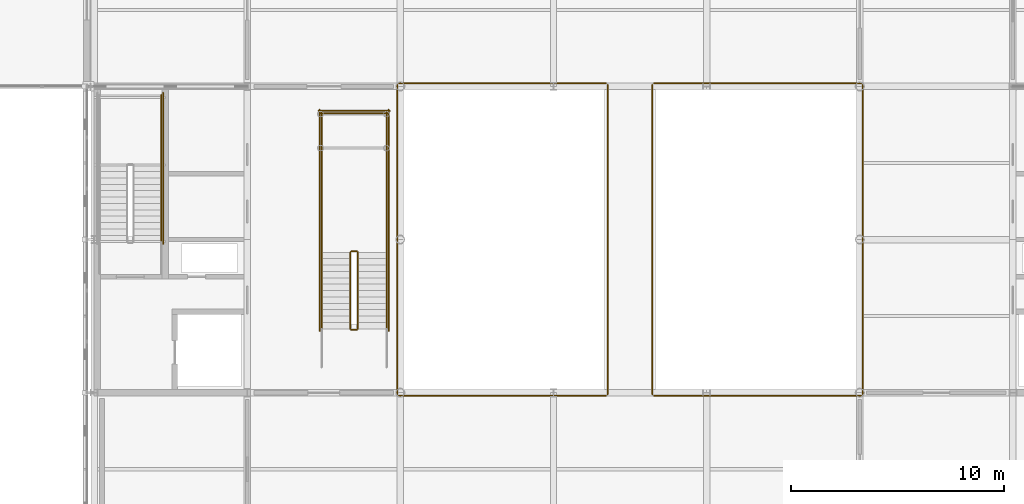
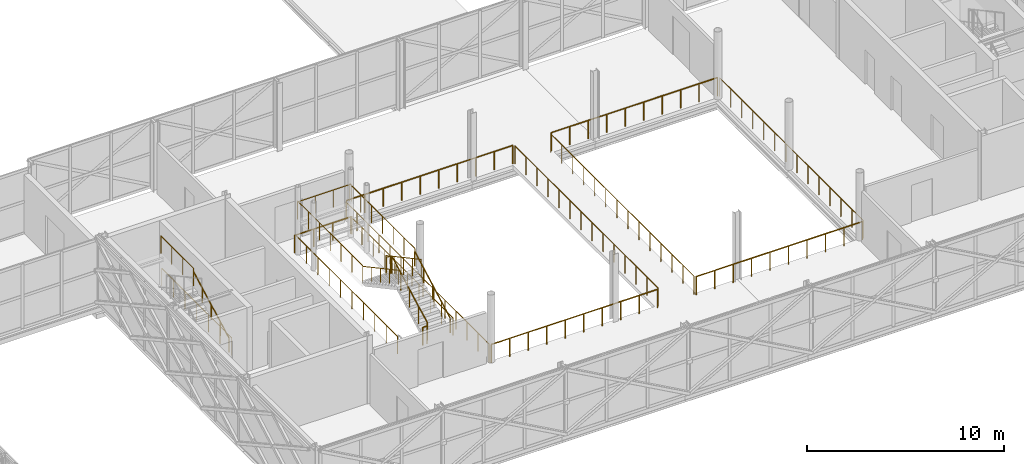
# One storey, part 119 of 126: 23 railings.
"""IFC4 building model written with IfcOpenShell, lengths in metres."""

import ifcopenshell
import ifcopenshell.guid

model = None  # the IFC model being written
_history = None  # IfcOwnerHistory: only IFC2X3 demands one
_inside = {}  # id of a spatial element -> (the spatial element, [elements in it])
_under = {}  # id of a project, library or spatial element -> (it, [spatial elements below it])
_declared = {}  # id of a project -> (the project, [libraries it declares])
_typed = {}  # id of a type object -> (the type object, [elements of that type])
_made_of = {}  # id of a material, layer set ... -> (it, [elements and type objects made of it])


def new_model(schema):
    """Start an empty IFC model of exactly this schema.

    Asked for "IFC4X3", IfcOpenShell would pick the latest addendum, in which some entities
    have other attributes; the version numbers below select the first issue.
    IFC2X3 requires an IfcOwnerHistory on every rooted entity: one is made here for all.
    """
    global model, _history
    if schema == "IFC4X3":
        model = ifcopenshell.file(schema_version=(4, 3, 0, 0))
    else:
        model = ifcopenshell.file(schema=schema)
    _inside.clear()
    _under.clear()
    _declared.clear()
    _typed.clear()
    _made_of.clear()
    _history = None
    if model.schema == "IFC2X3":
        org = make("IfcOrganization", Name="unknown")
        user = make(
            "IfcPersonAndOrganization",
            ThePerson=make("IfcPerson", FamilyName="unknown"),
            TheOrganization=org,
        )
        app = make(
            "IfcApplication",
            ApplicationDeveloper=org,
            Version="unknown",
            ApplicationFullName="unknown",
            ApplicationIdentifier="unknown",
        )
        _history = make(
            "IfcOwnerHistory",
            OwningUser=user,
            OwningApplication=app,
            ChangeAction="ADDED",
            CreationDate=0,
        )
    return model


def make(cls, **values):
    """One entity of the class cls with the attributes given. An attribute that is None is left unset."""
    return model.create_entity(
        cls, **{name: value for name, value in values.items() if value is not None}
    )


def rooted(cls, **values):
    """An entity with a GlobalId (a new one), such as an element, a storey or a relation."""
    return make(cls, GlobalId=ifcopenshell.guid.new(), OwnerHistory=_history, **values)


def si_unit(unit_type, name, prefix=None):
    """IfcSIUnit, for example si_unit("LENGTHUNIT", "METRE", prefix="MILLI")."""
    return make("IfcSIUnit", UnitType=unit_type, Prefix=prefix, Name=name)


def assignment(units):
    """IfcUnitAssignment: the units of a project."""
    return None if units is None else make("IfcUnitAssignment", Units=units)


def point(xyz):
    """IfcCartesianPoint."""
    return None if xyz is None else make("IfcCartesianPoint", Coordinates=xyz)


def direction(xyz):
    """IfcDirection."""
    return None if xyz is None else make("IfcDirection", DirectionRatios=xyz)


def frame(location, z_axis=None, x_axis=None):
    """IfcAxis2Placement3D, a coordinate frame: its origin and axes. An axis left out is left unset."""
    return make(
        "IfcAxis2Placement3D",
        Location=point(location),
        Axis=direction(z_axis),
        RefDirection=direction(x_axis),
    )


def frame_2d(location, x_axis=None):
    """IfcAxis2Placement2D, a coordinate frame in the plane: its origin and x axis."""
    return make(
        "IfcAxis2Placement2D", Location=point(location), RefDirection=direction(x_axis)
    )


def origin():
    """The frame at (0, 0, 0) with its axes left unset."""
    return frame((0.0, 0.0, 0.0))


def origin_2d():
    """The frame at (0, 0) in the plane with its x axis left unset."""
    return frame_2d((0.0, 0.0))


def place(relative_to, where):
    """IfcLocalPlacement: puts the frame where relative to a parent placement (None: the world)."""
    return make(
        "IfcLocalPlacement", PlacementRelTo=relative_to, RelativePlacement=where
    )


def context(
    kind, dimensions, precision=None, world=None, true_north=None, identifier=None
):
    """IfcGeometricRepresentationContext, for example the 3D "Model" context."""
    return make(
        "IfcGeometricRepresentationContext",
        ContextIdentifier=identifier,
        ContextType=kind,
        CoordinateSpaceDimension=dimensions,
        Precision=precision,
        WorldCoordinateSystem=world,
        TrueNorth=true_north,
    )


def subcontext(parent, identifier, kind, view, scale=None):
    """IfcGeometricRepresentationSubContext, for example "Body" below "Model"."""
    return make(
        "IfcGeometricRepresentationSubContext",
        ContextIdentifier=identifier,
        ContextType=kind,
        ParentContext=parent,
        TargetScale=scale,
        TargetView=view,
    )


def project(units=None, contexts=None):
    """IfcProject with its units and contexts."""
    return rooted(
        "IfcProject",
        Name="project",
        RepresentationContexts=contexts,
        UnitsInContext=assignment(units),
    )


def spatial(cls, under=None, at=None, **own):
    """A site, building, storey or space (cls), placed at a placement, below another one or the project."""
    s = rooted(cls, ObjectPlacement=at, **own)
    if under is not None:
        _under.setdefault(under.id(), (under, []))[1].append(s)
    return s


def profile(cls, at=None, kind="AREA", **sizes):
    """A parametric profile (cls). Its sizes go by their IFC names, for example OverallWidth=200.0."""
    return make(cls, ProfileType=kind, Position=at, **sizes)


def circle(**sizes):
    """IfcCircleProfileDef."""
    return profile("IfcCircleProfileDef", **sizes)


def extrude(swept, where, along, depth):
    """IfcExtrudedAreaSolid: the profile swept, set in the frame where, extruded along a direction by depth."""
    return make(
        "IfcExtrudedAreaSolid",
        SweptArea=swept,
        Position=where,
        ExtrudedDirection=direction(along),
        Depth=depth,
    )


def shape(context_of_items, identifier, shape_type, items):
    """IfcShapeRepresentation: the items that make up one representation, for example the "Body"."""
    return make(
        "IfcShapeRepresentation",
        ContextOfItems=context_of_items,
        RepresentationIdentifier=identifier,
        RepresentationType=shape_type,
        Items=items,
    )


def material(Name=None, Category=None):
    """IfcMaterial."""
    return make("IfcMaterial", Name=Name, Category=Category)


def made_of(thing, what):
    """Note that an element or type object is made of a material, layer set ...; save() writes the relation."""
    if what is not None:
        _made_of.setdefault(what.id(), (what, []))[1].append(thing)
    return thing


def type_object(cls, material=None, **own):
    """A type object (cls), such as IfcWallType, which elements share."""
    return made_of(rooted(cls, **own), material)


def element(
    cls,
    number,
    at=None,
    inside=None,
    cuts=None,
    type_object=None,
    material=None,
    context=None,
    identifier="Body",
    shape_type=None,
    held_by="IfcProductDefinitionShape",
    body=None,
    shapes=None,
    **own,
):
    """One element of the class cls, such as IfcWall. Its Tag is "e" and its number.

    at: its placement. inside: the storey or other place that contains it. cuts: it is an
    opening in that element (IfcRelVoidsElement). A single representation is given by context,
    identifier, shape_type and body (its items); several are given by shapes. held_by: the class
    of the entity that holds the representations. save() writes the other relations.
    """
    e = rooted(cls, Tag="e%d" % number, ObjectPlacement=at, **own)
    if body is not None:
        shapes = [shape(context, identifier, shape_type, body)]
    if shapes is not None:
        e.Representation = make(held_by, Representations=shapes)
    if inside is not None:
        _inside.setdefault(inside.id(), (inside, []))[1].append(e)
    if cuts is not None:
        rooted(
            "IfcRelVoidsElement", RelatingBuildingElement=cuts, RelatedOpeningElement=e
        )
    if type_object is not None:
        _typed.setdefault(type_object.id(), (type_object, []))[1].append(e)
    return made_of(e, material)


def aggregate(whole, parts):
    """IfcRelAggregates: a whole, such as a stair, and the parts it consists of."""
    return rooted("IfcRelAggregates", RelatingObject=whole, RelatedObjects=parts)


def save(model, path):
    """Write the relations noted so far, then the file.

    IfcRelAggregates (storeys below a building ...), IfcRelContainedInSpatialStructure (elements
    in a storey), IfcRelDefinesByType, IfcRelAssociatesMaterial and IfcRelDeclares: one each for
    every whole, place, type object, material and project.
    """
    for whole, parts in _under.values():
        aggregate(whole, parts)
    for where, things in _inside.values():
        rooted(
            "IfcRelContainedInSpatialStructure",
            RelatedElements=things,
            RelatingStructure=where,
        )
    for kind, things in _typed.values():
        rooted("IfcRelDefinesByType", RelatedObjects=things, RelatingType=kind)
    for what, things in _made_of.values():
        rooted("IfcRelAssociatesMaterial", RelatedObjects=things, RelatingMaterial=what)
    for by, libraries in _declared.values():
        rooted("IfcRelDeclares", RelatingContext=by, RelatedDefinitions=libraries)
    model.write(path)


model = new_model("IFC4")

# Units and contexts
model_context = context("Model", 3, precision=1e-05, world=origin(), true_north=direction((0.0, 1.0)))
body_context = subcontext(model_context, "Body", "Model", "MODEL_VIEW")
ifc_project = project(units=[si_unit("LENGTHUNIT", "METRE"), si_unit("AREAUNIT", "SQUARE_METRE"), si_unit("VOLUMEUNIT", "CUBIC_METRE"), si_unit("PLANEANGLEUNIT", "RADIAN"), si_unit("MASSUNIT", "GRAM", prefix="KILO")], contexts=[model_context])

# Site, building, storey
site_placement = place(None, origin())
site = spatial("IfcSite", under=ifc_project, at=site_placement, CompositionType="ELEMENT")
building_placement = place(site_placement, origin())
building = spatial("IfcBuilding", under=site, at=building_placement, Name="Zlatovets Crest Museum", CompositionType="ELEMENT")
storey_placement = place(building_placement, frame((0.0, 0.0, 8.699951171875)))
storey = spatial("IfcBuildingStorey", under=building, at=storey_placement, Name="L02", CompositionType="ELEMENT", Elevation=8.699951171875)

# Railings
ifc_material_1 = material(Name="Art Nouveau bronze and laminated glass atrium balustrade", Category="glass")
railing_type_1 = type_object("IfcRailingType", Name="AtriumGuard_AG01", PredefinedType="BALUSTRADE", material=ifc_material_1)
railing_1_placement = place(storey_placement, frame((70.0, 10.199951171875, 0.16162109375)))
element("IfcRailing", 1, at=railing_1_placement, inside=storey, type_object=railing_type_1, Name="L02 ST6 stair guard 1", PredefinedType="BALUSTRADE", context=body_context, shape_type="SweptSolid", body=[
    extrude(circle(Radius=0.02392578125, at=origin_2d()), frame((0.0, 0.0, 1.076171875), z_axis=(0.0, 0.880474934443, 0.474092701714), x_axis=(-1.0, 0.0, 0.0)), (0.0, 0.0, 1.0), 4.0888671875),
    extrude(circle(Radius=0.02099609375, at=origin_2d()), origin(), (0.0, 0.0, 1.0), 1.052001953125),
    extrude(circle(Radius=0.02099609375, at=origin_2d()), frame((0.0, 0.89990234375, 0.484619140625)), (0.0, 0.0, 1.0), 1.052001953125),
    extrude(circle(Radius=0.02099609375, at=origin_2d()), frame((0.0, 1.800048828125, 0.96923828125)), (0.0, 0.0, 1.0), 1.052001953125),
    extrude(circle(Radius=0.02099609375, at=origin_2d()), frame((0.0, 2.7001953125, 1.453857421875)), (0.0, 0.0, 1.0), 1.052001953125),
    extrude(circle(Radius=0.02099609375, at=origin_2d()), frame((0.0, 3.60009765625, 1.9384765625)), (0.0, 0.0, 1.0), 1.052001953125),
])
railing_2_placement = place(storey_placement, frame((69.949951171875, 13.85009765625, 2.10009765625)))
element("IfcRailing", 2, at=railing_2_placement, inside=storey, type_object=railing_type_1, Name="L02 ST6 stair guard 2", PredefinedType="BALUSTRADE", context=body_context, shape_type="SweptSolid", body=[
    extrude(circle(Radius=0.02392578125, at=origin_2d()), frame((0.0, 0.0, 1.076171875), z_axis=(-1.0, 0.0, 0.0), x_axis=(0.0, -1.0, 0.0)), (0.0, 0.0, 1.0), 0.25),
    extrude(circle(Radius=0.02099609375, at=origin_2d()), origin(), (0.0, 0.0, 1.0), 1.052001953125),
    extrude(circle(Radius=0.02099609375, at=origin_2d()), frame((-0.25, 0.0, 0.0)), (0.0, 0.0, 1.0), 1.052001953125),
])
for number, where, name in (
    (3, (71.35009765625, 13.800048828125, 2.10009765625), "L02 ST6 stair guard 3"),
    (4, (68.300048828125, 13.800048828125, 2.10009765625), "L02 ST6 stair guard 4"),
):
    element("IfcRailing", number, at=place(storey_placement, frame(where)), inside=storey, type_object=railing_type_1, Name=name, PredefinedType="BALUSTRADE", context=body_context, shape_type="SweptSolid", body=[
        extrude(circle(Radius=0.02392578125, at=origin_2d()), frame((0.0, 0.0, 1.076171875), z_axis=(0.0, 1.0, 0.0), x_axis=(-1.0, 0.0, 0.0)), (0.0, 0.0, 1.0), 6.599853515625),
        extrude(circle(Radius=0.02099609375, at=origin_2d()), origin(), (0.0, 0.0, 1.0), 1.052001953125),
        extrude(circle(Radius=0.02099609375, at=origin_2d()), frame((0.0, 1.10009765625, 0.0)), (0.0, 0.0, 1.0), 1.052001953125),
        extrude(circle(Radius=0.02099609375, at=origin_2d()), frame((0.0, 2.199951171875, 0.0)), (0.0, 0.0, 1.0), 1.052001953125),
        extrude(circle(Radius=0.02099609375, at=origin_2d()), frame((0.0, 3.2998046875, 0.0)), (0.0, 0.0, 1.0), 1.052001953125),
        extrude(circle(Radius=0.02099609375, at=origin_2d()), frame((0.0, 4.39990234375, 0.0)), (0.0, 0.0, 1.0), 1.052001953125),
        extrude(circle(Radius=0.02099609375, at=origin_2d()), frame((0.0, 5.5, 0.0)), (0.0, 0.0, 1.0), 1.052001953125),
        extrude(circle(Radius=0.02099609375, at=origin_2d()), frame((0.0, 6.599853515625, 0.0)), (0.0, 0.0, 1.0), 1.052001953125),
    ])
railing_3_placement = place(storey_placement, frame((71.39990234375, 20.35009765625, 2.10009765625)))
element("IfcRailing", 5, at=railing_3_placement, inside=storey, type_object=railing_type_1, Name="L02 ST6 stair guard 5", PredefinedType="BALUSTRADE", context=body_context, shape_type="SweptSolid", body=[
    extrude(circle(Radius=0.02392578125, at=origin_2d()), frame((0.0, 0.0, 1.076171875), z_axis=(-1.0, 0.0, 0.0), x_axis=(0.0, -1.0, 0.0)), (0.0, 0.0, 1.0), 3.14990234375),
    extrude(circle(Radius=0.02099609375, at=origin_2d()), origin(), (0.0, 0.0, 1.0), 1.052001953125),
    extrude(circle(Radius=0.02099609375, at=origin_2d()), frame((-1.050048828125, 0.0, 0.0)), (0.0, 0.0, 1.0), 1.052001953125),
    extrude(circle(Radius=0.02099609375, at=origin_2d()), frame((-2.099853515625, 0.0, 0.0)), (0.0, 0.0, 1.0), 1.052001953125),
    extrude(circle(Radius=0.02099609375, at=origin_2d()), frame((-3.14990234375, 0.0, 0.0)), (0.0, 0.0, 1.0), 1.052001953125),
])
railing_4_placement = place(storey_placement, frame((69.64990234375, 13.800048828125, 2.261474609375)))
element("IfcRailing", 6, at=railing_4_placement, inside=storey, type_object=railing_type_1, Name="L02 ST6 stair guard 6", PredefinedType="BALUSTRADE", context=body_context, shape_type="SweptSolid", body=[
    extrude(circle(Radius=0.02392578125, at=origin_2d()), frame((0.0, 0.0, 1.076171875), z_axis=(0.0, -0.880474934443, 0.474092701714), x_axis=(1.0, 0.0, 0.0)), (0.0, 0.0, 1.0), 4.0888671875),
    extrude(circle(Radius=0.02099609375, at=origin_2d()), origin(), (0.0, 0.0, 1.0), 1.052001953125),
    extrude(circle(Radius=0.02099609375, at=origin_2d()), frame((0.0, -0.89990234375, 0.484619140625)), (0.0, 0.0, 1.0), 1.052001953125),
    extrude(circle(Radius=0.02099609375, at=origin_2d()), frame((0.0, -1.800048828125, 0.96923828125)), (0.0, 0.0, 1.0), 1.052001953125),
    extrude(circle(Radius=0.02099609375, at=origin_2d()), frame((0.0, -2.7001953125, 1.453857421875)), (0.0, 0.0, 1.0), 1.052001953125),
    extrude(circle(Radius=0.02099609375, at=origin_2d()), frame((0.0, -3.60009765625, 1.9384765625)), (0.0, 0.0, 1.0), 1.052001953125),
])
railing_5_placement = place(storey_placement, frame((69.949951171875, 10.14990234375, 0.0)))
element("IfcRailing", 7, at=railing_5_placement, inside=storey, type_object=railing_type_1, Name="L02 ST6 stair guard 7", PredefinedType="BALUSTRADE", context=body_context, shape_type="SweptSolid", body=[
    extrude(circle(Radius=0.02392578125, at=origin_2d()), frame((0.0, 0.0, 1.076171875), z_axis=(-1.0, 0.0, 0.0), x_axis=(0.0, -1.0, 0.0)), (0.0, 0.0, 1.0), 0.25),
    extrude(circle(Radius=0.02099609375, at=origin_2d()), origin(), (0.0, 0.0, 1.0), 1.052001953125),
    extrude(circle(Radius=0.02099609375, at=origin_2d()), frame((-0.25, 0.0, 0.0)), (0.0, 0.0, 1.0), 1.052001953125),
])
for number, where, name in (
    (8, (71.449951171875, 10.10009765625, 0.0), "L02 ST6 stair guard 10"),
    (9, (68.199951171875, 10.10009765625, 0.0), "L02 ST6 stair guard 11"),
):
    element("IfcRailing", number, at=place(storey_placement, frame(where)), inside=storey, type_object=railing_type_1, Name=name, PredefinedType="BALUSTRADE", context=body_context, shape_type="SweptSolid", body=[
        extrude(circle(Radius=0.02392578125, at=origin_2d()), frame((0.0, 0.0, 1.076171875), z_axis=(0.0, 1.0, 0.0), x_axis=(-1.0, 0.0, 0.0)), (0.0, 0.0, 1.0), 10.39990234375),
        extrude(circle(Radius=0.02099609375, at=origin_2d()), origin(), (0.0, 0.0, 1.0), 1.052001953125),
        extrude(circle(Radius=0.02099609375, at=origin_2d()), frame((0.0, 1.155517578125, 0.0)), (0.0, 0.0, 1.0), 1.052001953125),
        extrude(circle(Radius=0.02099609375, at=origin_2d()), frame((0.0, 2.31103515625, 0.0)), (0.0, 0.0, 1.0), 1.052001953125),
        extrude(circle(Radius=0.02099609375, at=origin_2d()), frame((0.0, 3.466552734375, 0.0)), (0.0, 0.0, 1.0), 1.052001953125),
        extrude(circle(Radius=0.02099609375, at=origin_2d()), frame((0.0, 4.6220703125, 0.0)), (0.0, 0.0, 1.0), 1.052001953125),
        extrude(circle(Radius=0.02099609375, at=origin_2d()), frame((0.0, 5.77783203125, 0.0)), (0.0, 0.0, 1.0), 1.052001953125),
        extrude(circle(Radius=0.02099609375, at=origin_2d()), frame((0.0, 6.933349609375, 0.0)), (0.0, 0.0, 1.0), 1.052001953125),
        extrude(circle(Radius=0.02099609375, at=origin_2d()), frame((0.0, 8.0888671875, 0.0)), (0.0, 0.0, 1.0), 1.052001953125),
        extrude(circle(Radius=0.02099609375, at=origin_2d()), frame((0.0, 9.244384765625, 0.0)), (0.0, 0.0, 1.0), 1.052001953125),
        extrude(circle(Radius=0.02099609375, at=origin_2d()), frame((0.0, 10.39990234375, 0.0)), (0.0, 0.0, 1.0), 1.052001953125),
    ])
railing_6_placement = place(storey_placement, frame((71.5, 20.449951171875, 0.0)))
element("IfcRailing", 10, at=railing_6_placement, inside=storey, type_object=railing_type_1, Name="L02 ST6 stair guard 12", PredefinedType="BALUSTRADE", context=body_context, shape_type="SweptSolid", body=[
    extrude(circle(Radius=0.02392578125, at=origin_2d()), frame((0.0, 0.0, 1.076171875), z_axis=(-1.0, 0.0, 0.0), x_axis=(0.0, -1.0, 0.0)), (0.0, 0.0, 1.0), 3.35009765625),
    extrude(circle(Radius=0.02099609375, at=origin_2d()), origin(), (0.0, 0.0, 1.0), 1.052001953125),
    extrude(circle(Radius=0.02099609375, at=origin_2d()), frame((-1.11669921875, 0.0, 0.0)), (0.0, 0.0, 1.0), 1.052001953125),
    extrude(circle(Radius=0.02099609375, at=origin_2d()), frame((-2.2333984375, 0.0, 0.0)), (0.0, 0.0, 1.0), 1.052001953125),
    extrude(circle(Radius=0.02099609375, at=origin_2d()), frame((-3.35009765625, 0.0, 0.0)), (0.0, 0.0, 1.0), 1.052001953125),
])
railing_7_placement = place(storey_placement, frame((71.929931640625, 7.050048828125, 0.0)))
element("IfcRailing", 11, at=railing_7_placement, inside=storey, type_object=railing_type_1, Name="Atrium West Void Balustrade L02 S", PredefinedType="BALUSTRADE", context=body_context, shape_type="SweptSolid", body=[
    extrude(circle(Radius=0.02392578125, at=origin_2d()), frame((0.0, 0.0, 1.1259765625), z_axis=(1.0, 0.0, 0.0), x_axis=(0.0, 1.0, 0.0)), (0.0, 0.0, 1.0), 9.739990234375),
    extrude(circle(Radius=0.02099609375, at=origin_2d()), origin(), (0.0, 0.0, 1.0), 1.101806640625),
    extrude(circle(Radius=0.02099609375, at=origin_2d()), frame((1.082275390625, 0.0, 0.0)), (0.0, 0.0, 1.0), 1.101806640625),
    extrude(circle(Radius=0.02099609375, at=origin_2d()), frame((2.16455078125, 0.0, 0.0)), (0.0, 0.0, 1.0), 1.101806640625),
    extrude(circle(Radius=0.02099609375, at=origin_2d()), frame((3.24658203125, 0.0, 0.0)), (0.0, 0.0, 1.0), 1.101806640625),
    extrude(circle(Radius=0.02099609375, at=origin_2d()), frame((4.328857421875, 0.0, 0.0)), (0.0, 0.0, 1.0), 1.101806640625),
    extrude(circle(Radius=0.02099609375, at=origin_2d()), frame((5.4111328125, 0.0, 0.0)), (0.0, 0.0, 1.0), 1.101806640625),
    extrude(circle(Radius=0.02099609375, at=origin_2d()), frame((6.493408203125, 0.0, 0.0)), (0.0, 0.0, 1.0), 1.101806640625),
    extrude(circle(Radius=0.02099609375, at=origin_2d()), frame((7.575439453125, 0.0, 0.0)), (0.0, 0.0, 1.0), 1.101806640625),
    extrude(circle(Radius=0.02099609375, at=origin_2d()), frame((8.65771484375, 0.0, 0.0)), (0.0, 0.0, 1.0), 1.101806640625),
    extrude(circle(Radius=0.02099609375, at=origin_2d()), frame((9.739990234375, 0.0, 0.0)), (0.0, 0.0, 1.0), 1.101806640625),
])
railing_8_placement = place(storey_placement, frame((81.75, 7.1298828125, 0.0)))
element("IfcRailing", 12, at=railing_8_placement, inside=storey, type_object=railing_type_1, Name="Atrium West Void Balustrade L02 E", PredefinedType="BALUSTRADE", context=body_context, shape_type="SweptSolid", body=[
    extrude(circle(Radius=0.02392578125, at=origin_2d()), frame((0.0, 0.0, 1.1259765625), z_axis=(0.0, 1.0, 0.0), x_axis=(-1.0, 0.0, 0.0)), (0.0, 0.0, 1.0), 14.5400390625),
    extrude(circle(Radius=0.02099609375, at=origin_2d()), origin(), (0.0, 0.0, 1.0), 1.101806640625),
    extrude(circle(Radius=0.02099609375, at=origin_2d()), frame((0.0, 1.118408203125, 0.0)), (0.0, 0.0, 1.0), 1.101806640625),
    extrude(circle(Radius=0.02099609375, at=origin_2d()), frame((0.0, 2.23681640625, 0.0)), (0.0, 0.0, 1.0), 1.101806640625),
    extrude(circle(Radius=0.02099609375, at=origin_2d()), frame((0.0, 3.35546875, 0.0)), (0.0, 0.0, 1.0), 1.101806640625),
    extrude(circle(Radius=0.02099609375, at=origin_2d()), frame((0.0, 4.473876953125, 0.0)), (0.0, 0.0, 1.0), 1.101806640625),
    extrude(circle(Radius=0.02099609375, at=origin_2d()), frame((0.0, 5.59228515625, 0.0)), (0.0, 0.0, 1.0), 1.101806640625),
    extrude(circle(Radius=0.02099609375, at=origin_2d()), frame((0.0, 6.710693359375, 0.0)), (0.0, 0.0, 1.0), 1.101806640625),
    extrude(circle(Radius=0.02099609375, at=origin_2d()), frame((0.0, 7.829345703125, 0.0)), (0.0, 0.0, 1.0), 1.101806640625),
    extrude(circle(Radius=0.02099609375, at=origin_2d()), frame((0.0, 8.94775390625, 0.0)), (0.0, 0.0, 1.0), 1.101806640625),
    extrude(circle(Radius=0.02099609375, at=origin_2d()), frame((0.0, 10.066162109375, 0.0)), (0.0, 0.0, 1.0), 1.101806640625),
    extrude(circle(Radius=0.02099609375, at=origin_2d()), frame((0.0, 11.1845703125, 0.0)), (0.0, 0.0, 1.0), 1.101806640625),
    extrude(circle(Radius=0.02099609375, at=origin_2d()), frame((0.0, 12.30322265625, 0.0)), (0.0, 0.0, 1.0), 1.101806640625),
    extrude(circle(Radius=0.02099609375, at=origin_2d()), frame((0.0, 13.421630859375, 0.0)), (0.0, 0.0, 1.0), 1.101806640625),
    extrude(circle(Radius=0.02099609375, at=origin_2d()), frame((0.0, 14.5400390625, 0.0)), (0.0, 0.0, 1.0), 1.101806640625),
])
railing_9_placement = place(storey_placement, frame((81.669921875, 21.75, 0.0)))
element("IfcRailing", 13, at=railing_9_placement, inside=storey, type_object=railing_type_1, Name="Atrium West Void Balustrade L02 N", PredefinedType="BALUSTRADE", context=body_context, shape_type="SweptSolid", body=[
    extrude(circle(Radius=0.02392578125, at=origin_2d()), frame((0.0, 0.0, 1.1259765625), z_axis=(-1.0, 0.0, 0.0), x_axis=(0.0, -1.0, 0.0)), (0.0, 0.0, 1.0), 9.739990234375),
    extrude(circle(Radius=0.02099609375, at=origin_2d()), origin(), (0.0, 0.0, 1.0), 1.101806640625),
    extrude(circle(Radius=0.02099609375, at=origin_2d()), frame((-1.082275390625, 0.0, 0.0)), (0.0, 0.0, 1.0), 1.101806640625),
    extrude(circle(Radius=0.02099609375, at=origin_2d()), frame((-2.16455078125, 0.0, 0.0)), (0.0, 0.0, 1.0), 1.101806640625),
    extrude(circle(Radius=0.02099609375, at=origin_2d()), frame((-3.24658203125, 0.0, 0.0)), (0.0, 0.0, 1.0), 1.101806640625),
    extrude(circle(Radius=0.02099609375, at=origin_2d()), frame((-4.328857421875, 0.0, 0.0)), (0.0, 0.0, 1.0), 1.101806640625),
    extrude(circle(Radius=0.02099609375, at=origin_2d()), frame((-5.4111328125, 0.0, 0.0)), (0.0, 0.0, 1.0), 1.101806640625),
    extrude(circle(Radius=0.02099609375, at=origin_2d()), frame((-6.493408203125, 0.0, 0.0)), (0.0, 0.0, 1.0), 1.101806640625),
    extrude(circle(Radius=0.02099609375, at=origin_2d()), frame((-7.575439453125, 0.0, 0.0)), (0.0, 0.0, 1.0), 1.101806640625),
    extrude(circle(Radius=0.02099609375, at=origin_2d()), frame((-8.65771484375, 0.0, 0.0)), (0.0, 0.0, 1.0), 1.101806640625),
    extrude(circle(Radius=0.02099609375, at=origin_2d()), frame((-9.739990234375, 0.0, 0.0)), (0.0, 0.0, 1.0), 1.101806640625),
])
railing_10_placement = place(storey_placement, frame((71.85009765625, 21.669921875, 0.0)))
element("IfcRailing", 14, at=railing_10_placement, inside=storey, type_object=railing_type_1, Name="Atrium West Void Balustrade L02 W", PredefinedType="BALUSTRADE", context=body_context, shape_type="SweptSolid", body=[
    extrude(circle(Radius=0.02392578125, at=origin_2d()), frame((0.0, 0.0, 1.1259765625), z_axis=(0.0, -1.0, 0.0), x_axis=(1.0, 0.0, 0.0)), (0.0, 0.0, 1.0), 14.5400390625),
    extrude(circle(Radius=0.02099609375, at=origin_2d()), origin(), (0.0, 0.0, 1.0), 1.101806640625),
    extrude(circle(Radius=0.02099609375, at=origin_2d()), frame((0.0, -1.118408203125, 0.0)), (0.0, 0.0, 1.0), 1.101806640625),
    extrude(circle(Radius=0.02099609375, at=origin_2d()), frame((0.0, -2.23681640625, 0.0)), (0.0, 0.0, 1.0), 1.101806640625),
    extrude(circle(Radius=0.02099609375, at=origin_2d()), frame((0.0, -3.35546875, 0.0)), (0.0, 0.0, 1.0), 1.101806640625),
    extrude(circle(Radius=0.02099609375, at=origin_2d()), frame((0.0, -4.473876953125, 0.0)), (0.0, 0.0, 1.0), 1.101806640625),
    extrude(circle(Radius=0.02099609375, at=origin_2d()), frame((0.0, -5.59228515625, 0.0)), (0.0, 0.0, 1.0), 1.101806640625),
    extrude(circle(Radius=0.02099609375, at=origin_2d()), frame((0.0, -6.710693359375, 0.0)), (0.0, 0.0, 1.0), 1.101806640625),
    extrude(circle(Radius=0.02099609375, at=origin_2d()), frame((0.0, -7.829345703125, 0.0)), (0.0, 0.0, 1.0), 1.101806640625),
    extrude(circle(Radius=0.02099609375, at=origin_2d()), frame((0.0, -8.94775390625, 0.0)), (0.0, 0.0, 1.0), 1.101806640625),
    extrude(circle(Radius=0.02099609375, at=origin_2d()), frame((0.0, -10.066162109375, 0.0)), (0.0, 0.0, 1.0), 1.101806640625),
    extrude(circle(Radius=0.02099609375, at=origin_2d()), frame((0.0, -11.1845703125, 0.0)), (0.0, 0.0, 1.0), 1.101806640625),
    extrude(circle(Radius=0.02099609375, at=origin_2d()), frame((0.0, -12.30322265625, 0.0)), (0.0, 0.0, 1.0), 1.101806640625),
    extrude(circle(Radius=0.02099609375, at=origin_2d()), frame((0.0, -13.421630859375, 0.0)), (0.0, 0.0, 1.0), 1.101806640625),
    extrude(circle(Radius=0.02099609375, at=origin_2d()), frame((0.0, -14.5400390625, 0.0)), (0.0, 0.0, 1.0), 1.101806640625),
])
railing_11_placement = place(storey_placement, frame((83.929931640625, 7.050048828125, 0.0)))
element("IfcRailing", 15, at=railing_11_placement, inside=storey, type_object=railing_type_1, Name="Atrium East Void Balustrade L02 S", PredefinedType="BALUSTRADE", context=body_context, shape_type="SweptSolid", body=[
    extrude(circle(Radius=0.02392578125, at=origin_2d()), frame((0.0, 0.0, 1.1259765625), z_axis=(1.0, 0.0, 0.0), x_axis=(0.0, 1.0, 0.0)), (0.0, 0.0, 1.0), 9.739990234375),
    extrude(circle(Radius=0.02099609375, at=origin_2d()), origin(), (0.0, 0.0, 1.0), 1.101806640625),
    extrude(circle(Radius=0.02099609375, at=origin_2d()), frame((1.082275390625, 0.0, 0.0)), (0.0, 0.0, 1.0), 1.101806640625),
    extrude(circle(Radius=0.02099609375, at=origin_2d()), frame((2.16455078125, 0.0, 0.0)), (0.0, 0.0, 1.0), 1.101806640625),
    extrude(circle(Radius=0.02099609375, at=origin_2d()), frame((3.24658203125, 0.0, 0.0)), (0.0, 0.0, 1.0), 1.101806640625),
    extrude(circle(Radius=0.02099609375, at=origin_2d()), frame((4.328857421875, 0.0, 0.0)), (0.0, 0.0, 1.0), 1.101806640625),
    extrude(circle(Radius=0.02099609375, at=origin_2d()), frame((5.4111328125, 0.0, 0.0)), (0.0, 0.0, 1.0), 1.101806640625),
    extrude(circle(Radius=0.02099609375, at=origin_2d()), frame((6.493408203125, 0.0, 0.0)), (0.0, 0.0, 1.0), 1.101806640625),
    extrude(circle(Radius=0.02099609375, at=origin_2d()), frame((7.575439453125, 0.0, 0.0)), (0.0, 0.0, 1.0), 1.101806640625),
    extrude(circle(Radius=0.02099609375, at=origin_2d()), frame((8.65771484375, 0.0, 0.0)), (0.0, 0.0, 1.0), 1.101806640625),
    extrude(circle(Radius=0.02099609375, at=origin_2d()), frame((9.739990234375, 0.0, 0.0)), (0.0, 0.0, 1.0), 1.101806640625),
])
railing_12_placement = place(storey_placement, frame((93.75, 7.1298828125, 0.0)))
element("IfcRailing", 16, at=railing_12_placement, inside=storey, type_object=railing_type_1, Name="Atrium East Void Balustrade L02 E", PredefinedType="BALUSTRADE", context=body_context, shape_type="SweptSolid", body=[
    extrude(circle(Radius=0.02392578125, at=origin_2d()), frame((0.0, 0.0, 1.1259765625), z_axis=(0.0, 1.0, 0.0), x_axis=(-1.0, 0.0, 0.0)), (0.0, 0.0, 1.0), 14.5400390625),
    extrude(circle(Radius=0.02099609375, at=origin_2d()), origin(), (0.0, 0.0, 1.0), 1.101806640625),
    extrude(circle(Radius=0.02099609375, at=origin_2d()), frame((0.0, 1.118408203125, 0.0)), (0.0, 0.0, 1.0), 1.101806640625),
    extrude(circle(Radius=0.02099609375, at=origin_2d()), frame((0.0, 2.23681640625, 0.0)), (0.0, 0.0, 1.0), 1.101806640625),
    extrude(circle(Radius=0.02099609375, at=origin_2d()), frame((0.0, 3.35546875, 0.0)), (0.0, 0.0, 1.0), 1.101806640625),
    extrude(circle(Radius=0.02099609375, at=origin_2d()), frame((0.0, 4.473876953125, 0.0)), (0.0, 0.0, 1.0), 1.101806640625),
    extrude(circle(Radius=0.02099609375, at=origin_2d()), frame((0.0, 5.59228515625, 0.0)), (0.0, 0.0, 1.0), 1.101806640625),
    extrude(circle(Radius=0.02099609375, at=origin_2d()), frame((0.0, 6.710693359375, 0.0)), (0.0, 0.0, 1.0), 1.101806640625),
    extrude(circle(Radius=0.02099609375, at=origin_2d()), frame((0.0, 7.829345703125, 0.0)), (0.0, 0.0, 1.0), 1.101806640625),
    extrude(circle(Radius=0.02099609375, at=origin_2d()), frame((0.0, 8.94775390625, 0.0)), (0.0, 0.0, 1.0), 1.101806640625),
    extrude(circle(Radius=0.02099609375, at=origin_2d()), frame((0.0, 10.066162109375, 0.0)), (0.0, 0.0, 1.0), 1.101806640625),
    extrude(circle(Radius=0.02099609375, at=origin_2d()), frame((0.0, 11.1845703125, 0.0)), (0.0, 0.0, 1.0), 1.101806640625),
    extrude(circle(Radius=0.02099609375, at=origin_2d()), frame((0.0, 12.30322265625, 0.0)), (0.0, 0.0, 1.0), 1.101806640625),
    extrude(circle(Radius=0.02099609375, at=origin_2d()), frame((0.0, 13.421630859375, 0.0)), (0.0, 0.0, 1.0), 1.101806640625),
    extrude(circle(Radius=0.02099609375, at=origin_2d()), frame((0.0, 14.5400390625, 0.0)), (0.0, 0.0, 1.0), 1.101806640625),
])
railing_13_placement = place(storey_placement, frame((93.669921875, 21.75, 0.0)))
element("IfcRailing", 17, at=railing_13_placement, inside=storey, type_object=railing_type_1, Name="Atrium East Void Balustrade L02 N", PredefinedType="BALUSTRADE", context=body_context, shape_type="SweptSolid", body=[
    extrude(circle(Radius=0.02392578125, at=origin_2d()), frame((0.0, 0.0, 1.1259765625), z_axis=(-1.0, 0.0, 0.0), x_axis=(0.0, -1.0, 0.0)), (0.0, 0.0, 1.0), 9.739990234375),
    extrude(circle(Radius=0.02099609375, at=origin_2d()), origin(), (0.0, 0.0, 1.0), 1.101806640625),
    extrude(circle(Radius=0.02099609375, at=origin_2d()), frame((-1.082275390625, 0.0, 0.0)), (0.0, 0.0, 1.0), 1.101806640625),
    extrude(circle(Radius=0.02099609375, at=origin_2d()), frame((-2.16455078125, 0.0, 0.0)), (0.0, 0.0, 1.0), 1.101806640625),
    extrude(circle(Radius=0.02099609375, at=origin_2d()), frame((-3.24658203125, 0.0, 0.0)), (0.0, 0.0, 1.0), 1.101806640625),
    extrude(circle(Radius=0.02099609375, at=origin_2d()), frame((-4.328857421875, 0.0, 0.0)), (0.0, 0.0, 1.0), 1.101806640625),
    extrude(circle(Radius=0.02099609375, at=origin_2d()), frame((-5.4111328125, 0.0, 0.0)), (0.0, 0.0, 1.0), 1.101806640625),
    extrude(circle(Radius=0.02099609375, at=origin_2d()), frame((-6.493408203125, 0.0, 0.0)), (0.0, 0.0, 1.0), 1.101806640625),
    extrude(circle(Radius=0.02099609375, at=origin_2d()), frame((-7.575439453125, 0.0, 0.0)), (0.0, 0.0, 1.0), 1.101806640625),
    extrude(circle(Radius=0.02099609375, at=origin_2d()), frame((-8.65771484375, 0.0, 0.0)), (0.0, 0.0, 1.0), 1.101806640625),
    extrude(circle(Radius=0.02099609375, at=origin_2d()), frame((-9.739990234375, 0.0, 0.0)), (0.0, 0.0, 1.0), 1.101806640625),
])
railing_14_placement = place(storey_placement, frame((83.85009765625, 21.669921875, 0.0)))
element("IfcRailing", 18, at=railing_14_placement, inside=storey, type_object=railing_type_1, Name="Atrium East Void Balustrade L02 W", PredefinedType="BALUSTRADE", context=body_context, shape_type="SweptSolid", body=[
    extrude(circle(Radius=0.02392578125, at=origin_2d()), frame((0.0, 0.0, 1.1259765625), z_axis=(0.0, -1.0, 0.0), x_axis=(1.0, 0.0, 0.0)), (0.0, 0.0, 1.0), 14.5400390625),
    extrude(circle(Radius=0.02099609375, at=origin_2d()), origin(), (0.0, 0.0, 1.0), 1.101806640625),
    extrude(circle(Radius=0.02099609375, at=origin_2d()), frame((0.0, -1.118408203125, 0.0)), (0.0, 0.0, 1.0), 1.101806640625),
    extrude(circle(Radius=0.02099609375, at=origin_2d()), frame((0.0, -2.23681640625, 0.0)), (0.0, 0.0, 1.0), 1.101806640625),
    extrude(circle(Radius=0.02099609375, at=origin_2d()), frame((0.0, -3.35546875, 0.0)), (0.0, 0.0, 1.0), 1.101806640625),
    extrude(circle(Radius=0.02099609375, at=origin_2d()), frame((0.0, -4.473876953125, 0.0)), (0.0, 0.0, 1.0), 1.101806640625),
    extrude(circle(Radius=0.02099609375, at=origin_2d()), frame((0.0, -5.59228515625, 0.0)), (0.0, 0.0, 1.0), 1.101806640625),
    extrude(circle(Radius=0.02099609375, at=origin_2d()), frame((0.0, -6.710693359375, 0.0)), (0.0, 0.0, 1.0), 1.101806640625),
    extrude(circle(Radius=0.02099609375, at=origin_2d()), frame((0.0, -7.829345703125, 0.0)), (0.0, 0.0, 1.0), 1.101806640625),
    extrude(circle(Radius=0.02099609375, at=origin_2d()), frame((0.0, -8.94775390625, 0.0)), (0.0, 0.0, 1.0), 1.101806640625),
    extrude(circle(Radius=0.02099609375, at=origin_2d()), frame((0.0, -10.066162109375, 0.0)), (0.0, 0.0, 1.0), 1.101806640625),
    extrude(circle(Radius=0.02099609375, at=origin_2d()), frame((0.0, -11.1845703125, 0.0)), (0.0, 0.0, 1.0), 1.101806640625),
    extrude(circle(Radius=0.02099609375, at=origin_2d()), frame((0.0, -12.30322265625, 0.0)), (0.0, 0.0, 1.0), 1.101806640625),
    extrude(circle(Radius=0.02099609375, at=origin_2d()), frame((0.0, -13.421630859375, 0.0)), (0.0, 0.0, 1.0), 1.101806640625),
    extrude(circle(Radius=0.02099609375, at=origin_2d()), frame((0.0, -14.5400390625, 0.0)), (0.0, 0.0, 1.0), 1.101806640625),
])
ifc_material_2 = material(Name="Painted steel safety guardrail", Category="steel")
railing_type_2 = type_object("IfcRailingType", Name="StairGuard_SG01", PredefinedType="GUARDRAIL", material=ifc_material_2)
railing_15_placement = place(storey_placement, frame((60.75, 17.89990234375, 2.10009765625)))
element("IfcRailing", 19, at=railing_15_placement, inside=storey, type_object=railing_type_2, Name="L02 ST2 stair guard 3", PredefinedType="GUARDRAIL", context=body_context, shape_type="SweptSolid", body=[
    extrude(circle(Radius=0.02392578125, at=origin_2d()), frame((0.0, 0.0, 1.076171875), z_axis=(0.0, 1.0, 0.0), x_axis=(-1.0, 0.0, 0.0)), (0.0, 0.0, 1.0), 3.300048828125),
    extrude(circle(Radius=0.02099609375, at=origin_2d()), origin(), (0.0, 0.0, 1.0), 1.052001953125),
    extrude(circle(Radius=0.02099609375, at=origin_2d()), frame((0.0, 1.10009765625, 0.0)), (0.0, 0.0, 1.0), 1.052001953125),
    extrude(circle(Radius=0.02099609375, at=origin_2d()), frame((0.0, 2.199951171875, 0.0)), (0.0, 0.0, 1.0), 1.052001953125),
    extrude(circle(Radius=0.02099609375, at=origin_2d()), frame((0.0, 3.300048828125, 0.0)), (0.0, 0.0, 1.0), 1.052001953125),
])
railing_16_placement = place(storey_placement, frame((60.85009765625, 14.199951171875, 0.0)))
element("IfcRailing", 20, at=railing_16_placement, inside=storey, type_object=railing_type_2, Name="L02 ST2 stair guard 9", PredefinedType="GUARDRAIL", context=body_context, shape_type="SweptSolid", body=[
    extrude(circle(Radius=0.02392578125, at=origin_2d()), frame((0.0, 0.0, 1.076171875), z_axis=(0.0, 1.0, 0.0), x_axis=(-1.0, 0.0, 0.0)), (0.0, 0.0, 1.0), 7.10009765625),
    extrude(circle(Radius=0.02099609375, at=origin_2d()), origin(), (0.0, 0.0, 1.0), 1.052001953125),
    extrude(circle(Radius=0.02099609375, at=origin_2d()), frame((0.0, 1.183349609375, 0.0)), (0.0, 0.0, 1.0), 1.052001953125),
    extrude(circle(Radius=0.02099609375, at=origin_2d()), frame((0.0, 2.36669921875, 0.0)), (0.0, 0.0, 1.0), 1.052001953125),
    extrude(circle(Radius=0.02099609375, at=origin_2d()), frame((0.0, 3.550048828125, 0.0)), (0.0, 0.0, 1.0), 1.052001953125),
    extrude(circle(Radius=0.02099609375, at=origin_2d()), frame((0.0, 4.7333984375, 0.0)), (0.0, 0.0, 1.0), 1.052001953125),
    extrude(circle(Radius=0.02099609375, at=origin_2d()), frame((0.0, 5.916748046875, 0.0)), (0.0, 0.0, 1.0), 1.052001953125),
    extrude(circle(Radius=0.02099609375, at=origin_2d()), frame((0.0, 7.10009765625, 0.0)), (0.0, 0.0, 1.0), 1.052001953125),
])
ifc_material_3 = material(Name="Brushed bronze stair handrail")
railing_type_3 = type_object("IfcRailingType", Name="StairHandrail_SH01", PredefinedType="HANDRAIL", material=ifc_material_3)
railing_17_placement = place(storey_placement, frame((60.75, 14.300048828125, 0.16162109375)))
element("IfcRailing", 21, at=railing_17_placement, inside=storey, type_object=railing_type_3, Name="L02 ST2 stair handrail 1", PredefinedType="HANDRAIL", context=body_context, shape_type="SweptSolid", body=[
    extrude(circle(Radius=0.02392578125, at=origin_2d()), frame((0.0, 0.0, 0.8759765625), z_axis=(0.0, 0.880461512865, 0.474117627138), x_axis=(-1.0, 0.0, 0.0)), (0.0, 0.0, 1.0), 4.088623046875),
    extrude(circle(Radius=0.02099609375, at=origin_2d()), origin(), (0.0, 0.0, 1.0), 0.851806640625),
    extrude(circle(Radius=0.02099609375, at=origin_2d()), frame((0.0, 0.89990234375, 0.484619140625)), (0.0, 0.0, 1.0), 0.851806640625),
    extrude(circle(Radius=0.02099609375, at=origin_2d()), frame((0.0, 1.7998046875, 0.96923828125)), (0.0, 0.0, 1.0), 0.851806640625),
    extrude(circle(Radius=0.02099609375, at=origin_2d()), frame((0.0, 2.699951171875, 1.453857421875)), (0.0, 0.0, 1.0), 0.851806640625),
    extrude(circle(Radius=0.02099609375, at=origin_2d()), frame((0.0, 3.599853515625, 1.9384765625)), (0.0, 0.0, 1.0), 0.851806640625),
])
railing_18_placement = place(storey_placement, frame((71.35009765625, 10.199951171875, 0.16162109375)))
element("IfcRailing", 22, at=railing_18_placement, inside=storey, type_object=railing_type_3, Name="L02 ST6 stair handrail 1", PredefinedType="HANDRAIL", context=body_context, shape_type="SweptSolid", body=[
    extrude(circle(Radius=0.02392578125, at=origin_2d()), frame((0.0, 0.0, 0.8759765625), z_axis=(0.0, 0.880474934443, 0.474092701714), x_axis=(-1.0, 0.0, 0.0)), (0.0, 0.0, 1.0), 4.0888671875),
    extrude(circle(Radius=0.02099609375, at=origin_2d()), origin(), (0.0, 0.0, 1.0), 0.851806640625),
    extrude(circle(Radius=0.02099609375, at=origin_2d()), frame((0.0, 0.89990234375, 0.484619140625)), (0.0, 0.0, 1.0), 0.851806640625),
    extrude(circle(Radius=0.02099609375, at=origin_2d()), frame((0.0, 1.800048828125, 0.96923828125)), (0.0, 0.0, 1.0), 0.851806640625),
    extrude(circle(Radius=0.02099609375, at=origin_2d()), frame((0.0, 2.7001953125, 1.453857421875)), (0.0, 0.0, 1.0), 0.851806640625),
    extrude(circle(Radius=0.02099609375, at=origin_2d()), frame((0.0, 3.60009765625, 1.9384765625)), (0.0, 0.0, 1.0), 0.851806640625),
])
railing_19_placement = place(storey_placement, frame((68.300048828125, 13.800048828125, 2.261474609375)))
element("IfcRailing", 23, at=railing_19_placement, inside=storey, type_object=railing_type_3, Name="L02 ST6 stair handrail 2", PredefinedType="HANDRAIL", context=body_context, shape_type="SweptSolid", body=[
    extrude(circle(Radius=0.02392578125, at=origin_2d()), frame((0.0, 0.0, 0.8759765625), z_axis=(0.0, -0.880474934443, 0.474092701714), x_axis=(1.0, 0.0, 0.0)), (0.0, 0.0, 1.0), 4.0888671875),
    extrude(circle(Radius=0.02099609375, at=origin_2d()), origin(), (0.0, 0.0, 1.0), 0.851806640625),
    extrude(circle(Radius=0.02099609375, at=origin_2d()), frame((0.0, -0.89990234375, 0.484619140625)), (0.0, 0.0, 1.0), 0.851806640625),
    extrude(circle(Radius=0.02099609375, at=origin_2d()), frame((0.0, -1.800048828125, 0.96923828125)), (0.0, 0.0, 1.0), 0.851806640625),
    extrude(circle(Radius=0.02099609375, at=origin_2d()), frame((0.0, -2.7001953125, 1.453857421875)), (0.0, 0.0, 1.0), 0.851806640625),
    extrude(circle(Radius=0.02099609375, at=origin_2d()), frame((0.0, -3.60009765625, 1.9384765625)), (0.0, 0.0, 1.0), 0.851806640625),
])

save(model, "model.ifc")
